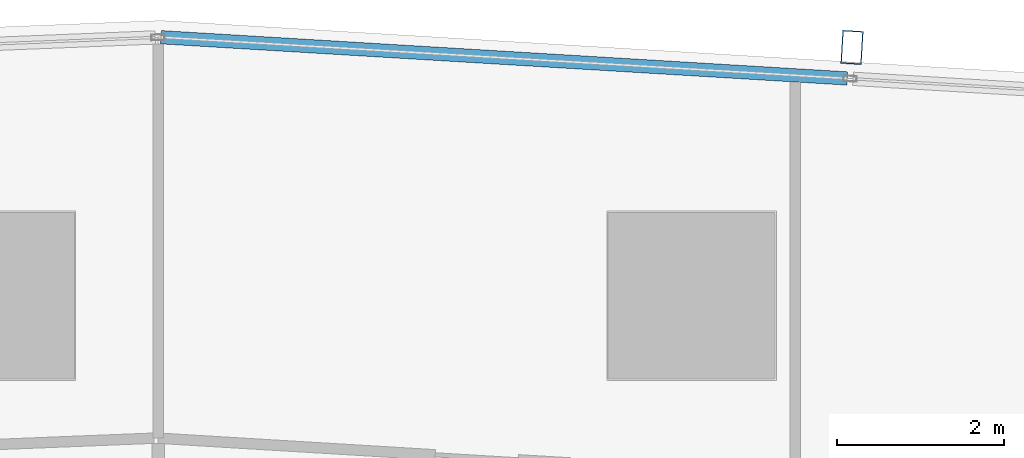
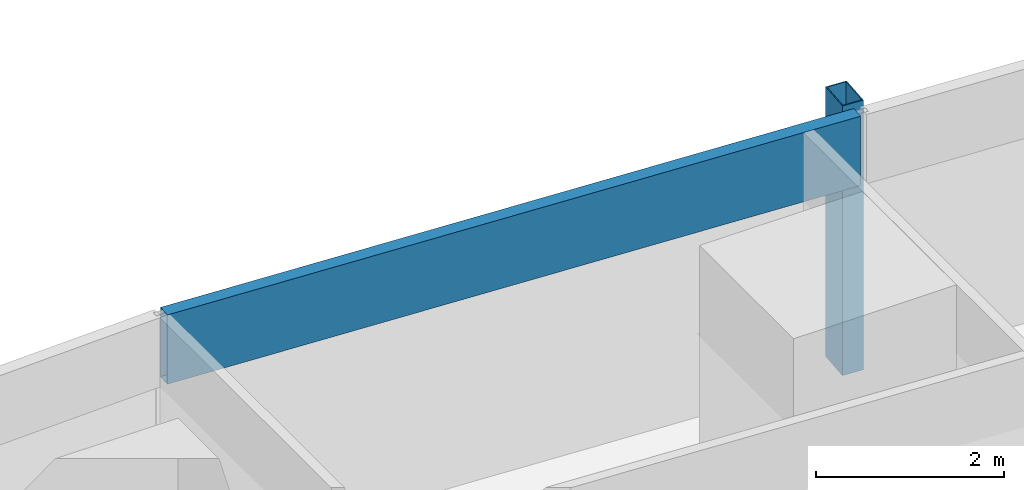
# One storey, part 22 of 39: 2 members, 1 element without a shape of its own.
"""IFC4 building model written with IfcOpenShell, lengths in metres."""

from ifc_helpers import new_model, si_unit, direction, frame, origin, origin_2d, place, context, subcontext, project, spatial, hollow_rectangle, extrude, material, material_profile, profile_set, type_object, element, aggregate, save


model = new_model("IFC4")

# Units and contexts
model_context = context("Model", 3, precision=1e-05, world=origin(), true_north=direction((0.0, 1.0)))
body_context = subcontext(model_context, "Body", "Model", "MODEL_VIEW")
ifc_project = project(units=[si_unit("LENGTHUNIT", "METRE"), si_unit("AREAUNIT", "SQUARE_METRE"), si_unit("VOLUMEUNIT", "CUBIC_METRE"), si_unit("PLANEANGLEUNIT", "RADIAN"), si_unit("MASSUNIT", "GRAM", prefix="KILO")], contexts=[model_context])

# Site, building, storey
site_placement = place(None, origin())
site = spatial("IfcSite", under=ifc_project, at=site_placement, CompositionType="ELEMENT")
building_placement = place(site_placement, origin())
building = spatial("IfcBuilding", under=site, at=building_placement, Name="Rekha Terrace Tower", CompositionType="ELEMENT")
storey_placement = place(building_placement, frame((0.0, 0.0, 151.550048828125)))
storey = spatial("IfcBuildingStorey", under=building, at=storey_placement, Name="L38", CompositionType="ELEMENT", Elevation=151.550048828125)

# Curtain wall, members
ifc_material_1 = material(Name="Aluminium framing", Category="aluminium")
curtain_wall_type = type_object("IfcCurtainWallType", Name="CW3 north unitised glazing", PredefinedType="USERDEFINED", material=ifc_material_1)
curtain_wall_placement = place(storey_placement, origin())
curtain_wall = element("IfcCurtainWall", 1, at=curtain_wall_placement, inside=storey, type_object=curtain_wall_type, Name="CW3 unitised curtain wall", ObjectType="UNITISED CURTAIN WALL", PredefinedType="USERDEFINED")
ifc_material_2 = material(Name="Steel S355 with fluorocarbon finish", Category="steel")
ifc_material_profile_1 = material_profile(ifc_material_2, hollow_rectangle(XDim=0.25, YDim=0.39990234375, WallThickness=0.012451171875, at=origin_2d()), Name="RHS400x250x12.5")
ifc_profile_set_1 = profile_set([ifc_material_profile_1], Name="Steel S355 with fluorocarbon finish")
member_type_1 = type_object("IfcMemberType", Name="BL1 facade blade RHS 400 x 250", PredefinedType="USERDEFINED", material=ifc_profile_set_1)
member_1_placement = place(storey_placement, frame((52.322265625, 61.777587890625, 0.0), z_axis=(0.0, 0.0, 1.0), x_axis=(-0.998199123409, 0.059987582268, 0.0)))
member_1 = element("IfcMember", 2, at=member_1_placement, type_object=member_type_1, Name="Facade blade", ObjectType="FACADE BLADE", PredefinedType="USERDEFINED", context=body_context, shape_type="SweptSolid", body=[
    extrude(hollow_rectangle(XDim=0.25, YDim=0.39990234375, WallThickness=0.012451171875, at=origin_2d()), origin(), (0.0, 0.0, 1.0), 3.5),
])
ifc_material_3 = material(Name="Insulated aluminium spandrel box", Category="aluminium")
ifc_material_profile_2 = material_profile(ifc_material_3, hollow_rectangle(XDim=0.159912109375, YDim=0.89990234375, WallThickness=0.0029296875, at=origin_2d()), Name="AL SPANDREL BOX 160x900")
ifc_profile_set_2 = profile_set([ifc_material_profile_2], Name="Insulated aluminium spandrel box")
member_type_2 = type_object("IfcMemberType", Name="CW3 spandrel transom 160 x 900", PredefinedType="USERDEFINED", material=ifc_profile_set_2)
member_2_placement = place(storey_placement, frame((52.2646484375, 61.4052734375, 3.050048828125), z_axis=(-0.998199102701, 0.059987926845, 0.0), x_axis=(-0.059987926845, -0.998199102701, 0.0)))
member_2 = element("IfcMember", 3, at=member_2_placement, type_object=member_type_2, Name="CW3 spandrel transom 3", ObjectType="TRANSOM", PredefinedType="USERDEFINED", context=body_context, shape_type="SweptSolid", body=[
    extrude(hollow_rectangle(XDim=0.159912109375, YDim=0.89990234375, WallThickness=0.0029296875, at=origin_2d()), origin(), (0.0, 0.0, 1.0), 8.241455078125),
])
aggregate(curtain_wall, [member_2, member_1])

save(model, "model.ifc")
